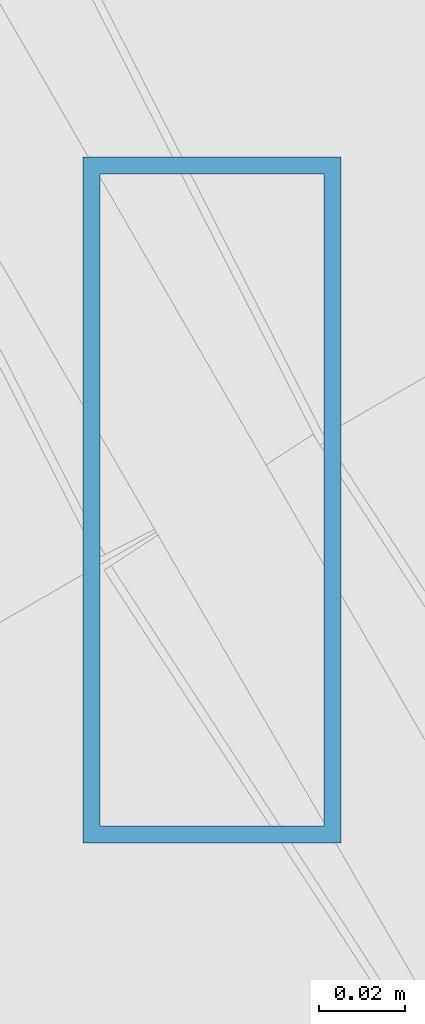
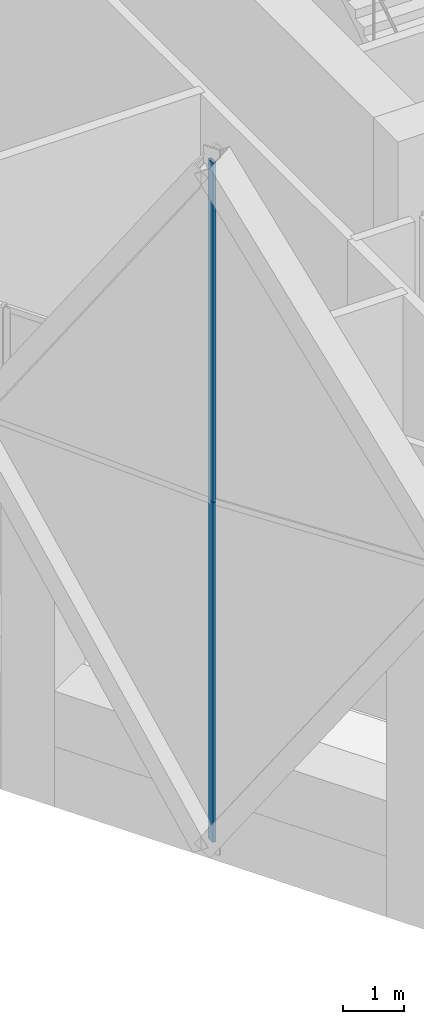
# One storey, part 5 of 43: 2 members, 1 element without a shape of its own.
"""IFC4 building model written with IfcOpenShell, lengths in metres."""

from ifc_helpers import new_model, si_unit, direction, frame, origin, origin_2d, place, context, subcontext, project, spatial, hollow_rectangle, extrude, material, material_profile, profile_set, type_object, element, aggregate, save


model = new_model("IFC4")

# Units and contexts
model_context = context("Model", 3, precision=1e-05, world=origin(), true_north=direction((0.0, 1.0)))
body_context = subcontext(model_context, "Body", "Model", "MODEL_VIEW")
ifc_project = project(units=[si_unit("LENGTHUNIT", "METRE"), si_unit("AREAUNIT", "SQUARE_METRE"), si_unit("VOLUMEUNIT", "CUBIC_METRE"), si_unit("PLANEANGLEUNIT", "RADIAN"), si_unit("MASSUNIT", "GRAM", prefix="KILO")], contexts=[model_context])

# Site, building, storey
site_placement = place(None, origin())
site = spatial("IfcSite", under=ifc_project, at=site_placement, CompositionType="ELEMENT")
building_placement = place(site_placement, origin())
building = spatial("IfcBuilding", under=site, at=building_placement, Name="Ostrander Bayou Hotel Tower", CompositionType="ELEMENT")
storey_placement = place(building_placement, frame((0.0, 0.0, 151.0)))
storey = spatial("IfcBuildingStorey", under=building, at=storey_placement, Name="L37", CompositionType="ELEMENT", Elevation=151.0)

# Curtain wall, members
ifc_material_1 = material(Name="Aluminium and clear glass", Category="aluminium")
curtain_wall_type = type_object("IfcCurtainWallType", Name="CW-LAT lattice glazing", PredefinedType="NOTDEFINED", material=ifc_material_1)
curtain_wall_placement = place(storey_placement, origin())
curtain_wall = element("IfcCurtainWall", 1, at=curtain_wall_placement, inside=storey, type_object=curtain_wall_type, Name="CW-LAT L37 SW 1", PredefinedType="NOTDEFINED")
ifc_material_2 = material(Name="Aluminium", Category="aluminium")
ifc_material_profile = material_profile(ifc_material_2, hollow_rectangle(XDim=0.06005859375, YDim=0.159912109375, WallThickness=0.00390625, at=origin_2d()))
ifc_profile_set = profile_set([ifc_material_profile], Name="Aluminium")
member_type = type_object("IfcMemberType", Name="CW-LA mullion 60 x 160 mm", PredefinedType="MULLION", material=ifc_profile_set)
member_1_placement = place(storey_placement, frame((-16.51513671875, -9.534912109375, -0.60009765625), z_axis=(0.0, 0.0, 1.0), x_axis=(1.0, 0.0, 0.0)))
member_1 = element("IfcMember", 2, at=member_1_placement, type_object=member_type, Name="CW-LAT mullion 4", PredefinedType="MULLION", context=body_context, shape_type="SweptSolid", body=[
    extrude(hollow_rectangle(XDim=0.06005859375, YDim=0.159912109375, WallThickness=0.00390625, at=origin_2d()), origin(), (0.0, 0.0, 1.0), 6.75),
])
member_2_placement = place(storey_placement, frame((-16.51513671875, -9.534912109375, 6.14990234375), z_axis=(0.0, 0.0, 1.0), x_axis=(1.0, 0.0, 0.0)))
member_2 = element("IfcMember", 3, at=member_2_placement, type_object=member_type, Name="CW-LAT mullion 5", PredefinedType="MULLION", context=body_context, shape_type="SweptSolid", body=[
    extrude(hollow_rectangle(XDim=0.06005859375, YDim=0.159912109375, WallThickness=0.00390625, at=origin_2d()), origin(), (0.0, 0.0, 1.0), 6.75),
])
aggregate(curtain_wall, [member_1, member_2])

save(model, "model.ifc")
